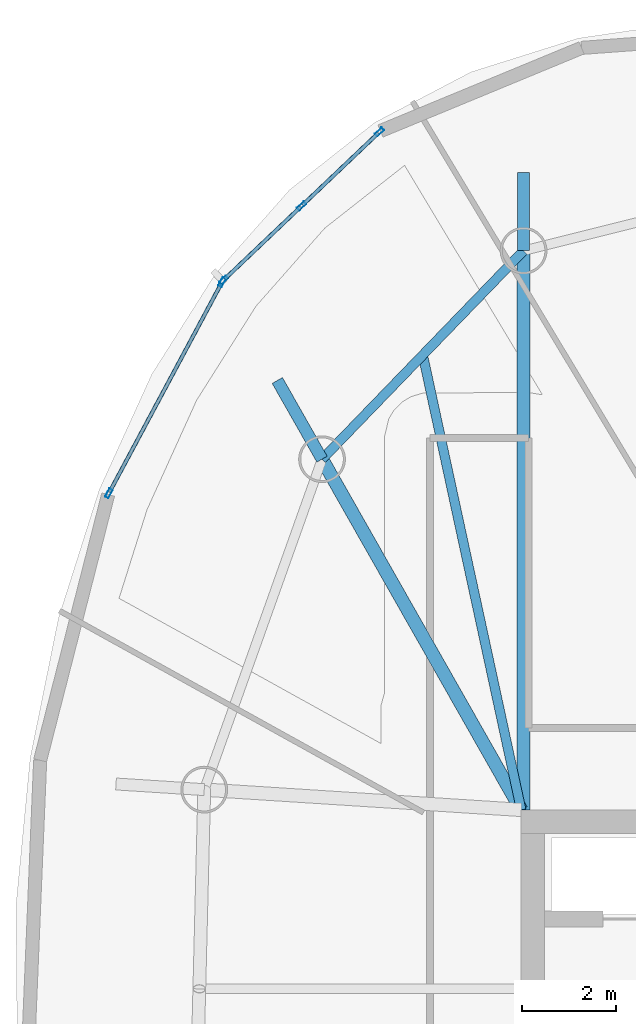
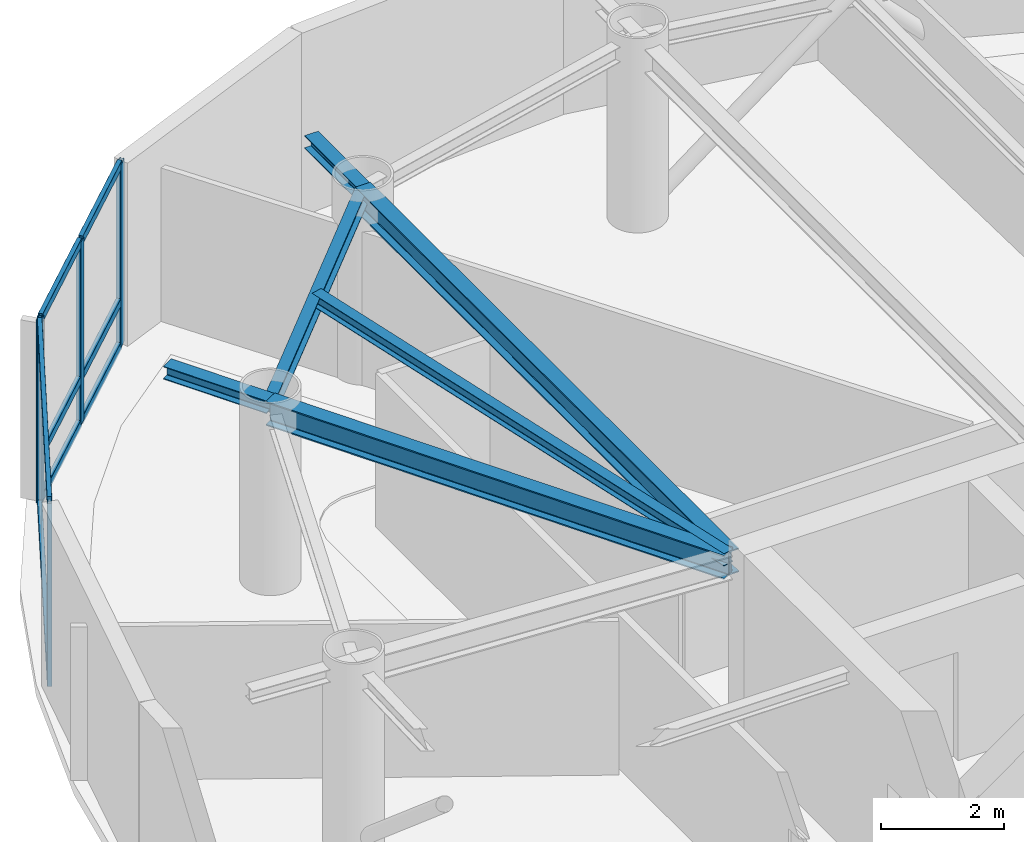
# One storey, part 7 of 16: 13 members, 6 beams, 2 elements without a shape of their own.
"""IFC4 building model written with IfcOpenShell, lengths in metres."""

import ifcopenshell
import ifcopenshell.guid

model = None  # the IFC model being written
_history = None  # IfcOwnerHistory: only IFC2X3 demands one
_inside = {}  # id of a spatial element -> (the spatial element, [elements in it])
_under = {}  # id of a project, library or spatial element -> (it, [spatial elements below it])
_declared = {}  # id of a project -> (the project, [libraries it declares])
_typed = {}  # id of a type object -> (the type object, [elements of that type])
_made_of = {}  # id of a material, layer set ... -> (it, [elements and type objects made of it])


def new_model(schema):
    """Start an empty IFC model of exactly this schema.

    Asked for "IFC4X3", IfcOpenShell would pick the latest addendum, in which some entities
    have other attributes; the version numbers below select the first issue.
    IFC2X3 requires an IfcOwnerHistory on every rooted entity: one is made here for all.
    """
    global model, _history
    if schema == "IFC4X3":
        model = ifcopenshell.file(schema_version=(4, 3, 0, 0))
    else:
        model = ifcopenshell.file(schema=schema)
    _inside.clear()
    _under.clear()
    _declared.clear()
    _typed.clear()
    _made_of.clear()
    _history = None
    if model.schema == "IFC2X3":
        org = make("IfcOrganization", Name="unknown")
        user = make(
            "IfcPersonAndOrganization",
            ThePerson=make("IfcPerson", FamilyName="unknown"),
            TheOrganization=org,
        )
        app = make(
            "IfcApplication",
            ApplicationDeveloper=org,
            Version="unknown",
            ApplicationFullName="unknown",
            ApplicationIdentifier="unknown",
        )
        _history = make(
            "IfcOwnerHistory",
            OwningUser=user,
            OwningApplication=app,
            ChangeAction="ADDED",
            CreationDate=0,
        )
    return model


def make(cls, **values):
    """One entity of the class cls with the attributes given. An attribute that is None is left unset."""
    return model.create_entity(
        cls, **{name: value for name, value in values.items() if value is not None}
    )


def rooted(cls, **values):
    """An entity with a GlobalId (a new one), such as an element, a storey or a relation."""
    return make(cls, GlobalId=ifcopenshell.guid.new(), OwnerHistory=_history, **values)


def si_unit(unit_type, name, prefix=None):
    """IfcSIUnit, for example si_unit("LENGTHUNIT", "METRE", prefix="MILLI")."""
    return make("IfcSIUnit", UnitType=unit_type, Prefix=prefix, Name=name)


def assignment(units):
    """IfcUnitAssignment: the units of a project."""
    return None if units is None else make("IfcUnitAssignment", Units=units)


def point(xyz):
    """IfcCartesianPoint."""
    return None if xyz is None else make("IfcCartesianPoint", Coordinates=xyz)


def direction(xyz):
    """IfcDirection."""
    return None if xyz is None else make("IfcDirection", DirectionRatios=xyz)


def frame(location, z_axis=None, x_axis=None):
    """IfcAxis2Placement3D, a coordinate frame: its origin and axes. An axis left out is left unset."""
    return make(
        "IfcAxis2Placement3D",
        Location=point(location),
        Axis=direction(z_axis),
        RefDirection=direction(x_axis),
    )


def frame_2d(location, x_axis=None):
    """IfcAxis2Placement2D, a coordinate frame in the plane: its origin and x axis."""
    return make(
        "IfcAxis2Placement2D", Location=point(location), RefDirection=direction(x_axis)
    )


def origin():
    """The frame at (0, 0, 0) with its axes left unset."""
    return frame((0.0, 0.0, 0.0))


def origin_2d():
    """The frame at (0, 0) in the plane with its x axis left unset."""
    return frame_2d((0.0, 0.0))


def place(relative_to, where):
    """IfcLocalPlacement: puts the frame where relative to a parent placement (None: the world)."""
    return make(
        "IfcLocalPlacement", PlacementRelTo=relative_to, RelativePlacement=where
    )


def context(
    kind, dimensions, precision=None, world=None, true_north=None, identifier=None
):
    """IfcGeometricRepresentationContext, for example the 3D "Model" context."""
    return make(
        "IfcGeometricRepresentationContext",
        ContextIdentifier=identifier,
        ContextType=kind,
        CoordinateSpaceDimension=dimensions,
        Precision=precision,
        WorldCoordinateSystem=world,
        TrueNorth=true_north,
    )


def subcontext(parent, identifier, kind, view, scale=None):
    """IfcGeometricRepresentationSubContext, for example "Body" below "Model"."""
    return make(
        "IfcGeometricRepresentationSubContext",
        ContextIdentifier=identifier,
        ContextType=kind,
        ParentContext=parent,
        TargetScale=scale,
        TargetView=view,
    )


def project(units=None, contexts=None):
    """IfcProject with its units and contexts."""
    return rooted(
        "IfcProject",
        Name="project",
        RepresentationContexts=contexts,
        UnitsInContext=assignment(units),
    )


def spatial(cls, under=None, at=None, **own):
    """A site, building, storey or space (cls), placed at a placement, below another one or the project."""
    s = rooted(cls, ObjectPlacement=at, **own)
    if under is not None:
        _under.setdefault(under.id(), (under, []))[1].append(s)
    return s


def profile(cls, at=None, kind="AREA", **sizes):
    """A parametric profile (cls). Its sizes go by their IFC names, for example OverallWidth=200.0."""
    return make(cls, ProfileType=kind, Position=at, **sizes)


def hollow_rectangle(**sizes):
    """IfcRectangleHollowProfileDef."""
    return profile("IfcRectangleHollowProfileDef", **sizes)


def i_section(**sizes):
    """IfcIShapeProfileDef."""
    return profile("IfcIShapeProfileDef", **sizes)


def extrude(swept, where, along, depth):
    """IfcExtrudedAreaSolid: the profile swept, set in the frame where, extruded along a direction by depth."""
    return make(
        "IfcExtrudedAreaSolid",
        SweptArea=swept,
        Position=where,
        ExtrudedDirection=direction(along),
        Depth=depth,
    )


def shape(context_of_items, identifier, shape_type, items):
    """IfcShapeRepresentation: the items that make up one representation, for example the "Body"."""
    return make(
        "IfcShapeRepresentation",
        ContextOfItems=context_of_items,
        RepresentationIdentifier=identifier,
        RepresentationType=shape_type,
        Items=items,
    )


def material(Name=None, Category=None):
    """IfcMaterial."""
    return make("IfcMaterial", Name=Name, Category=Category)


def layer(
    of_material, thickness, ventilated=None, Name=None, Category=None, Priority=None
):
    """IfcMaterialLayer: one layer of a wall or slab, of a material (None: an air gap)."""
    return make(
        "IfcMaterialLayer",
        Material=of_material,
        LayerThickness=thickness,
        IsVentilated=ventilated,
        Name=Name,
        Category=Category,
        Priority=Priority,
    )


def layer_set(layers, Name=None):
    """IfcMaterialLayerSet."""
    return make("IfcMaterialLayerSet", MaterialLayers=layers, LayerSetName=Name)


def material_profile(
    of_material, cross_section, Name=None, Category=None, Priority=None
):
    """IfcMaterialProfile: a cross section and its material."""
    return make(
        "IfcMaterialProfile",
        Name=Name,
        Material=of_material,
        Profile=cross_section,
        Priority=Priority,
        Category=Category,
    )


def profile_set(profiles, Name=None, composite=None):
    """IfcMaterialProfileSet."""
    return make(
        "IfcMaterialProfileSet",
        Name=Name,
        MaterialProfiles=profiles,
        CompositeProfile=composite,
    )


def made_of(thing, what):
    """Note that an element or type object is made of a material, layer set ...; save() writes the relation."""
    if what is not None:
        _made_of.setdefault(what.id(), (what, []))[1].append(thing)
    return thing


def type_object(cls, material=None, **own):
    """A type object (cls), such as IfcWallType, which elements share."""
    return made_of(rooted(cls, **own), material)


def element(
    cls,
    number,
    at=None,
    inside=None,
    cuts=None,
    type_object=None,
    material=None,
    context=None,
    identifier="Body",
    shape_type=None,
    held_by="IfcProductDefinitionShape",
    body=None,
    shapes=None,
    **own,
):
    """One element of the class cls, such as IfcWall. Its Tag is "e" and its number.

    at: its placement. inside: the storey or other place that contains it. cuts: it is an
    opening in that element (IfcRelVoidsElement). A single representation is given by context,
    identifier, shape_type and body (its items); several are given by shapes. held_by: the class
    of the entity that holds the representations. save() writes the other relations.
    """
    e = rooted(cls, Tag="e%d" % number, ObjectPlacement=at, **own)
    if body is not None:
        shapes = [shape(context, identifier, shape_type, body)]
    if shapes is not None:
        e.Representation = make(held_by, Representations=shapes)
    if inside is not None:
        _inside.setdefault(inside.id(), (inside, []))[1].append(e)
    if cuts is not None:
        rooted(
            "IfcRelVoidsElement", RelatingBuildingElement=cuts, RelatedOpeningElement=e
        )
    if type_object is not None:
        _typed.setdefault(type_object.id(), (type_object, []))[1].append(e)
    return made_of(e, material)


def aggregate(whole, parts):
    """IfcRelAggregates: a whole, such as a stair, and the parts it consists of."""
    return rooted("IfcRelAggregates", RelatingObject=whole, RelatedObjects=parts)


def save(model, path):
    """Write the relations noted so far, then the file.

    IfcRelAggregates (storeys below a building ...), IfcRelContainedInSpatialStructure (elements
    in a storey), IfcRelDefinesByType, IfcRelAssociatesMaterial and IfcRelDeclares: one each for
    every whole, place, type object, material and project.
    """
    for whole, parts in _under.values():
        aggregate(whole, parts)
    for where, things in _inside.values():
        rooted(
            "IfcRelContainedInSpatialStructure",
            RelatedElements=things,
            RelatingStructure=where,
        )
    for kind, things in _typed.values():
        rooted("IfcRelDefinesByType", RelatedObjects=things, RelatingType=kind)
    for what, things in _made_of.values():
        rooted("IfcRelAssociatesMaterial", RelatedObjects=things, RelatingMaterial=what)
    for by, libraries in _declared.values():
        rooted("IfcRelDeclares", RelatingContext=by, RelatedDefinitions=libraries)
    model.write(path)


model = new_model("IFC4")

# Units and contexts
model_context = context("Model", 3, precision=1e-05, world=origin(), true_north=direction((0.0, 1.0)))
body_context = subcontext(model_context, "Body", "Model", "MODEL_VIEW")
ifc_project = project(units=[si_unit("LENGTHUNIT", "METRE"), si_unit("AREAUNIT", "SQUARE_METRE"), si_unit("VOLUMEUNIT", "CUBIC_METRE"), si_unit("PLANEANGLEUNIT", "RADIAN"), si_unit("MASSUNIT", "GRAM", prefix="KILO")], contexts=[model_context])

# Site, building, storey
site_placement = place(None, origin())
site = spatial("IfcSite", under=ifc_project, at=site_placement, CompositionType="ELEMENT")
building_placement = place(site_placement, origin())
building = spatial("IfcBuilding", under=site, at=building_placement, Name="Bramvorn Convention Spire", CompositionType="ELEMENT")
storey_placement = place(building_placement, frame((0.0, 0.0, 261.300048828125)))
storey = spatial("IfcBuildingStorey", under=building, at=storey_placement, Name="L66", CompositionType="ELEMENT", Elevation=261.300048828125)

# Beams
ifc_material_1 = material(Name="Steel CSA G40.21 Grade 350 (350W)", Category="steel")
ifc_material_profile_1 = material_profile(ifc_material_1, i_section(OverallWidth=0.201904296875, OverallDepth=0.2470703125, WebThickness=0.00732421875, FlangeThickness=0.010986328125, FilletRadius=0.011962890625, at=origin_2d()))
ifc_profile_set_1 = profile_set([ifc_material_profile_1], Name="Steel CSA G40.21 Grade 350 (350W) - W250X49")
beam_type_1 = type_object("IfcBeamType", Name="BM-W250X49", PredefinedType="JOIST", material=ifc_profile_set_1)
beam_1_placement = place(storey_placement, frame((26.75, 33.449951171875, 3.50146484375), z_axis=(-0.211461445939, 0.977386339623, 0.0), x_axis=(-0.977386339623, -0.211461445939, 0.0)))
element("IfcBeam", 1, at=beam_1_placement, inside=storey, type_object=beam_type_1, Name="L66 composite floor joist 09", PredefinedType="JOIST", context=body_context, shape_type="SweptSolid", body=[
    extrude(i_section(OverallWidth=0.201904296875, OverallDepth=0.2470703125, WebThickness=0.00732421875, FlangeThickness=0.010986328125, FilletRadius=0.011962890625, at=origin_2d()), origin(), (0.0, 0.0, 1.0), 9.9462890625),
])
ifc_material_profile_2 = material_profile(ifc_material_1, i_section(OverallWidth=0.25390625, OverallDepth=0.2529296875, WebThickness=0.008544921875, FlangeThickness=0.01416015625, FilletRadius=0.011962890625, at=origin_2d()))
ifc_profile_set_2 = profile_set([ifc_material_profile_2], Name="Steel CSA G40.21 Grade 350 (350W) - W250X73")
beam_type_2 = type_object("IfcBeamType", Name="BM-W250X73", PredefinedType="BEAM", material=ifc_profile_set_2)
beam_2_placement = place(storey_placement, frame((26.800048828125, 45.39892578125, 3.49853515625), z_axis=(0.0, 1.0, 0.0), x_axis=(-1.0, 0.0, 0.0)))
element("IfcBeam", 2, at=beam_2_placement, inside=storey, type_object=beam_type_2, Name="L66 slab-edge cantilever tip beam MC09", PredefinedType="BEAM", context=body_context, shape_type="SweptSolid", body=[
    extrude(i_section(OverallWidth=0.25390625, OverallDepth=0.2529296875, WebThickness=0.008544921875, FlangeThickness=0.01416015625, FilletRadius=0.011962890625, at=origin_2d()), origin(), (0.0, 0.0, 1.0), 1.671142578125),
])
beam_3_placement = place(storey_placement, frame((22.49365234375, 40.94384765625, 3.49853515625), z_axis=(-0.493963896086, 0.869482414637, 0.0), x_axis=(-0.869482414637, -0.493963896086, 0.0)))
element("IfcBeam", 3, at=beam_3_placement, inside=storey, type_object=beam_type_2, Name="L66 slab-edge cantilever tip beam MC10", PredefinedType="BEAM", context=body_context, shape_type="SweptSolid", body=[
    extrude(i_section(OverallWidth=0.25390625, OverallDepth=0.2529296875, WebThickness=0.008544921875, FlangeThickness=0.01416015625, FilletRadius=0.011962890625, at=origin_2d()), origin(), (0.0, 0.0, 1.0), 1.935546875),
])
ifc_material_profile_3 = material_profile(ifc_material_1, i_section(OverallWidth=0.202880859375, OverallDepth=0.302978515625, WebThickness=0.007568359375, FlangeThickness=0.01318359375, FilletRadius=0.013916015625, at=origin_2d()))
ifc_profile_set_3 = profile_set([ifc_material_profile_3], Name="Steel CSA G40.21 Grade 350 (350W) - W310X60")
beam_type_3 = type_object("IfcBeamType", Name="BM-W310X60", PredefinedType="JOIST", material=ifc_profile_set_3)
beam_4_placement = place(storey_placement, frame((26.800048828125, 45.39892578125, 3.473388671875), z_axis=(-0.695007159797, -0.719002814898, 0.0), x_axis=(0.719002814898, -0.695007159797, 0.0)))
element("IfcBeam", 4, at=beam_4_placement, inside=storey, type_object=beam_type_3, Name="L66 mega-column ring beam 09", PredefinedType="JOIST", context=body_context, shape_type="SweptSolid", body=[
    extrude(i_section(OverallWidth=0.202880859375, OverallDepth=0.302978515625, WebThickness=0.007568359375, FlangeThickness=0.01318359375, FilletRadius=0.013916015625, at=origin_2d()), origin(), (0.0, 0.0, 1.0), 6.1962890625),
])
ifc_material_profile_4 = material_profile(ifc_material_1, i_section(OverallWidth=0.283935546875, OverallDepth=0.47607421875, WebThickness=0.014892578125, FlangeThickness=0.02392578125, FilletRadius=0.01806640625, at=origin_2d()))
ifc_profile_set_4 = profile_set([ifc_material_profile_4], Name="Steel CSA G40.21 Grade 350 (350W) - W460X158")
beam_type_4 = type_object("IfcBeamType", Name="BM-W460X158", PredefinedType="SPANDREL", material=ifc_profile_set_4)
beam_5_placement = place(storey_placement, frame((26.800048828125, 33.449951171875, 3.386962890625), z_axis=(0.0, 1.0, 0.0), x_axis=(-1.0, 0.0, 0.0)))
element("IfcBeam", 5, at=beam_5_placement, inside=storey, type_object=beam_type_4, Name="L66 radial floor girder MC09", PredefinedType="SPANDREL", context=body_context, shape_type="SweptSolid", body=[
    extrude(i_section(OverallWidth=0.283935546875, OverallDepth=0.47607421875, WebThickness=0.014892578125, FlangeThickness=0.02392578125, FilletRadius=0.01806640625, at=origin_2d()), origin(), (0.0, 0.0, 1.0), 11.948974609375),
])
beam_6_placement = place(storey_placement, frame((26.75, 33.449951171875, 3.386962890625), z_axis=(-0.493873612118, 0.869533699895, 0.0), x_axis=(-0.869533699895, -0.493873612118, 0.0)))
element("IfcBeam", 6, at=beam_6_placement, inside=storey, type_object=beam_type_4, Name="L66 radial floor girder MC10", PredefinedType="SPANDREL", context=body_context, shape_type="SweptSolid", body=[
    extrude(i_section(OverallWidth=0.283935546875, OverallDepth=0.47607421875, WebThickness=0.014892578125, FlangeThickness=0.02392578125, FilletRadius=0.01806640625, at=origin_2d()), origin(), (0.0, 0.0, 1.0), 8.618408203125),
])

# Curtain wall, members
ifc_material_2 = material(Name="Anodised Bronze Unitised Curtain Wall", Category="aluminium")
ifc_layer = layer(ifc_material_2, 0.179931640625)
ifc_layer_set = layer_set([ifc_layer], Name="Anodised Bronze Unitised Curtain Wall - CW-OFF-FRIT")
curtain_wall_type = type_object("IfcCurtainWallType", Name="CW-OFF-FRIT", PredefinedType="USERDEFINED", material=ifc_layer_set)
curtain_wall_1_placement = place(storey_placement, origin())
curtain_wall_1 = element("IfcCurtainWall", 7, at=curtain_wall_1_placement, inside=storey, type_object=curtain_wall_type, Name="L66 fritted glass curtain wall 13", ObjectType="UNITISED CURTAIN WALL", PredefinedType="USERDEFINED")
ifc_material_3 = material(Name="Anodised Bronze Aluminium 6063-T6", Category="aluminium")
ifc_material_profile_5 = material_profile(ifc_material_3, hollow_rectangle(XDim=0.080078125, YDim=0.199951171875, WallThickness=0.00390625, InnerFilletRadius=0.0009765625, OuterFilletRadius=0.00390625, at=origin_2d()))
ifc_profile_set_5 = profile_set([ifc_material_profile_5], Name="Anodised Bronze Aluminium 6063-T6 - CWM80X200")
member_type_1 = type_object("IfcMemberType", Name="CW-MUL-180", PredefinedType="MULLION", material=ifc_profile_set_5)
member_1_placement = place(storey_placement, frame((20.392333984375, 44.77294921875, 0.0), z_axis=(0.0, 0.0, 1.0), x_axis=(-0.688935359736, 0.72482278531, 0.0)))
member_1 = element("IfcMember", 8, at=member_1_placement, type_object=member_type_1, Name="CW3 mullion 1", PredefinedType="MULLION", context=body_context, shape_type="SweptSolid", body=[
    extrude(hollow_rectangle(XDim=0.080078125, YDim=0.199951171875, WallThickness=0.00390625, InnerFilletRadius=0.0009765625, OuterFilletRadius=0.00390625, at=origin_2d()), origin(), (0.0, 0.0, 1.0), 3.625),
])
member_2_placement = place(storey_placement, frame((22.055908203125, 46.3544921875, 0.0), z_axis=(0.0, 0.0, 1.0), x_axis=(-0.688935359736, 0.72482278531, 0.0)))
member_2 = element("IfcMember", 9, at=member_2_placement, type_object=member_type_1, Name="CW3 mullion 2", PredefinedType="MULLION", context=body_context, shape_type="SweptSolid", body=[
    extrude(hollow_rectangle(XDim=0.080078125, YDim=0.199951171875, WallThickness=0.00390625, InnerFilletRadius=0.0009765625, OuterFilletRadius=0.00390625, at=origin_2d()), origin(), (0.0, 0.0, 1.0), 3.625),
])
member_3_placement = place(storey_placement, frame((23.7197265625, 47.935791015625, 0.0), z_axis=(0.0, 0.0, 1.0), x_axis=(-0.688935359736, 0.72482278531, 0.0)))
member_3 = element("IfcMember", 10, at=member_3_placement, type_object=member_type_1, Name="CW3 mullion 3", PredefinedType="MULLION", context=body_context, shape_type="SweptSolid", body=[
    extrude(hollow_rectangle(XDim=0.080078125, YDim=0.199951171875, WallThickness=0.00390625, InnerFilletRadius=0.0009765625, OuterFilletRadius=0.00390625, at=origin_2d()), origin(), (0.0, 0.0, 1.0), 3.625),
])

curtain_wall_2_placement = place(storey_placement, origin())
curtain_wall_2 = element("IfcCurtainWall", 11, at=curtain_wall_2_placement, inside=storey, type_object=curtain_wall_type, Name="L66 fritted glass curtain wall 14", ObjectType="UNITISED CURTAIN WALL", PredefinedType="USERDEFINED")
member_4_placement = place(storey_placement, frame((17.937744140625, 40.214111328125, 0.0), z_axis=(0.0, 0.0, 1.0), x_axis=(-0.88134933507, 0.472465183449, 0.0)))
member_4 = element("IfcMember", 12, at=member_4_placement, type_object=member_type_1, Name="CW3 mullion 1", PredefinedType="MULLION", context=body_context, shape_type="SweptSolid", body=[
    extrude(hollow_rectangle(XDim=0.080078125, YDim=0.199951171875, WallThickness=0.00390625, InnerFilletRadius=0.0009765625, OuterFilletRadius=0.00390625, at=origin_2d()), origin(), (0.0, 0.0, 1.0), 3.625),
])
member_5_placement = place(storey_placement, frame((20.3564453125, 44.72607421875, 0.0), z_axis=(0.0, 0.0, 1.0), x_axis=(-0.88134933507, 0.472465183449, 0.0)))
member_5 = element("IfcMember", 13, at=member_5_placement, type_object=member_type_1, Name="CW3 mullion 2", PredefinedType="MULLION", context=body_context, shape_type="SweptSolid", body=[
    extrude(hollow_rectangle(XDim=0.080078125, YDim=0.199951171875, WallThickness=0.00390625, InnerFilletRadius=0.0009765625, OuterFilletRadius=0.00390625, at=origin_2d()), origin(), (0.0, 0.0, 1.0), 3.625),
])

# Member
ifc_material_profile_6 = material_profile(ifc_material_3, hollow_rectangle(XDim=0.080078125, YDim=0.159912109375, WallThickness=0.00390625, InnerFilletRadius=0.0009765625, OuterFilletRadius=0.00390625, at=origin_2d()))
ifc_profile_set_6 = profile_set([ifc_material_profile_6], Name="Anodised Bronze Aluminium 6063-T6 - CWT80X160")
member_type_2 = type_object("IfcMemberType", Name="CW-TRN-150", PredefinedType="USERDEFINED", material=ifc_profile_set_6)
member_6_placement = place(storey_placement, frame((20.4140625, 44.793701171875, 0.030029296875), z_axis=(0.724792153109, 0.688967586169, 0.0), x_axis=(-0.688967586169, 0.724792153109, 0.0)))
member_6 = element("IfcMember", 14, at=member_6_placement, type_object=member_type_2, Name="CW3 transom 1.1", ObjectType="TRANSOM", PredefinedType="USERDEFINED", context=body_context, shape_type="SweptSolid", body=[
    extrude(hollow_rectangle(XDim=0.080078125, YDim=0.159912109375, WallThickness=0.00390625, InnerFilletRadius=0.0009765625, OuterFilletRadius=0.00390625, at=origin_2d()), origin(), (0.0, 0.0, 1.0), 2.2353515625),
])

member_7_placement = place(storey_placement, frame((20.4140625, 44.793701171875, 0.89990234375), z_axis=(0.724792153109, 0.688967586169, 0.0), x_axis=(-0.688967586169, 0.724792153109, 0.0)))
member_7 = element("IfcMember", 15, at=member_7_placement, type_object=member_type_2, Name="CW3 transom 1.2", ObjectType="TRANSOM", PredefinedType="USERDEFINED", context=body_context, shape_type="SweptSolid", body=[
    extrude(hollow_rectangle(XDim=0.080078125, YDim=0.159912109375, WallThickness=0.00390625, InnerFilletRadius=0.0009765625, OuterFilletRadius=0.00390625, at=origin_2d()), origin(), (0.0, 0.0, 1.0), 2.2353515625),
])

member_8_placement = place(storey_placement, frame((20.4140625, 44.793701171875, 3.594970703125), z_axis=(0.724792153109, 0.688967586169, 0.0), x_axis=(-0.688967586169, 0.724792153109, 0.0)))
member_8 = element("IfcMember", 16, at=member_8_placement, type_object=member_type_2, Name="CW3 transom 1.3", ObjectType="TRANSOM", PredefinedType="USERDEFINED", context=body_context, shape_type="SweptSolid", body=[
    extrude(hollow_rectangle(XDim=0.080078125, YDim=0.159912109375, WallThickness=0.00390625, InnerFilletRadius=0.0009765625, OuterFilletRadius=0.00390625, at=origin_2d()), origin(), (0.0, 0.0, 1.0), 2.2353515625),
])

member_9_placement = place(storey_placement, frame((22.07763671875, 46.375, 0.030029296875), z_axis=(0.724843991692, 0.688913048003, 0.0), x_axis=(-0.688913048003, 0.724843991692, 0.0)))
member_9 = element("IfcMember", 17, at=member_9_placement, type_object=member_type_2, Name="CW3 transom 2.1", ObjectType="TRANSOM", PredefinedType="USERDEFINED", context=body_context, shape_type="SweptSolid", body=[
    extrude(hollow_rectangle(XDim=0.080078125, YDim=0.159912109375, WallThickness=0.00390625, InnerFilletRadius=0.0009765625, OuterFilletRadius=0.00390625, at=origin_2d()), origin(), (0.0, 0.0, 1.0), 2.2353515625),
])

member_10_placement = place(storey_placement, frame((22.07763671875, 46.375, 0.89990234375), z_axis=(0.724843991692, 0.688913048003, 0.0), x_axis=(-0.688913048003, 0.724843991692, 0.0)))
member_10 = element("IfcMember", 18, at=member_10_placement, type_object=member_type_2, Name="CW3 transom 2.2", ObjectType="TRANSOM", PredefinedType="USERDEFINED", context=body_context, shape_type="SweptSolid", body=[
    extrude(hollow_rectangle(XDim=0.080078125, YDim=0.159912109375, WallThickness=0.00390625, InnerFilletRadius=0.0009765625, OuterFilletRadius=0.00390625, at=origin_2d()), origin(), (0.0, 0.0, 1.0), 2.2353515625),
])

member_11_placement = place(storey_placement, frame((22.07763671875, 46.375, 3.594970703125), z_axis=(0.724843991692, 0.688913048003, 0.0), x_axis=(-0.688913048003, 0.724843991692, 0.0)))
member_11 = element("IfcMember", 19, at=member_11_placement, type_object=member_type_2, Name="CW3 transom 2.3", ObjectType="TRANSOM", PredefinedType="USERDEFINED", context=body_context, shape_type="SweptSolid", body=[
    extrude(hollow_rectangle(XDim=0.080078125, YDim=0.159912109375, WallThickness=0.00390625, InnerFilletRadius=0.0009765625, OuterFilletRadius=0.00390625, at=origin_2d()), origin(), (0.0, 0.0, 1.0), 2.2353515625),
])

aggregate(curtain_wall_1, [member_1, member_2, member_3, member_6, member_7, member_8, member_9, member_10, member_11])

member_12_placement = place(storey_placement, frame((17.951904296875, 40.240478515625, 0.030029296875), z_axis=(0.472435661391, 0.881365160331, 0.0), x_axis=(-0.881365160331, 0.472435661391, 0.0)))
member_12 = element("IfcMember", 20, at=member_12_placement, type_object=member_type_2, Name="CW3 transom 1.1", ObjectType="TRANSOM", PredefinedType="USERDEFINED", context=body_context, shape_type="SweptSolid", body=[
    extrude(hollow_rectangle(XDim=0.080078125, YDim=0.159912109375, WallThickness=0.00390625, InnerFilletRadius=0.0009765625, OuterFilletRadius=0.00390625, at=origin_2d()), origin(), (0.0, 0.0, 1.0), 5.05908203125),
])

member_13_placement = place(storey_placement, frame((17.951904296875, 40.240478515625, 3.594970703125), z_axis=(0.472435661391, 0.881365160331, 0.0), x_axis=(-0.881365160331, 0.472435661391, 0.0)))
member_13 = element("IfcMember", 21, at=member_13_placement, type_object=member_type_2, Name="CW3 transom 1.2", ObjectType="TRANSOM", PredefinedType="USERDEFINED", context=body_context, shape_type="SweptSolid", body=[
    extrude(hollow_rectangle(XDim=0.080078125, YDim=0.159912109375, WallThickness=0.00390625, InnerFilletRadius=0.0009765625, OuterFilletRadius=0.00390625, at=origin_2d()), origin(), (0.0, 0.0, 1.0), 5.05908203125),
])

aggregate(curtain_wall_2, [member_4, member_5, member_12, member_13])

save(model, "model.ifc")
